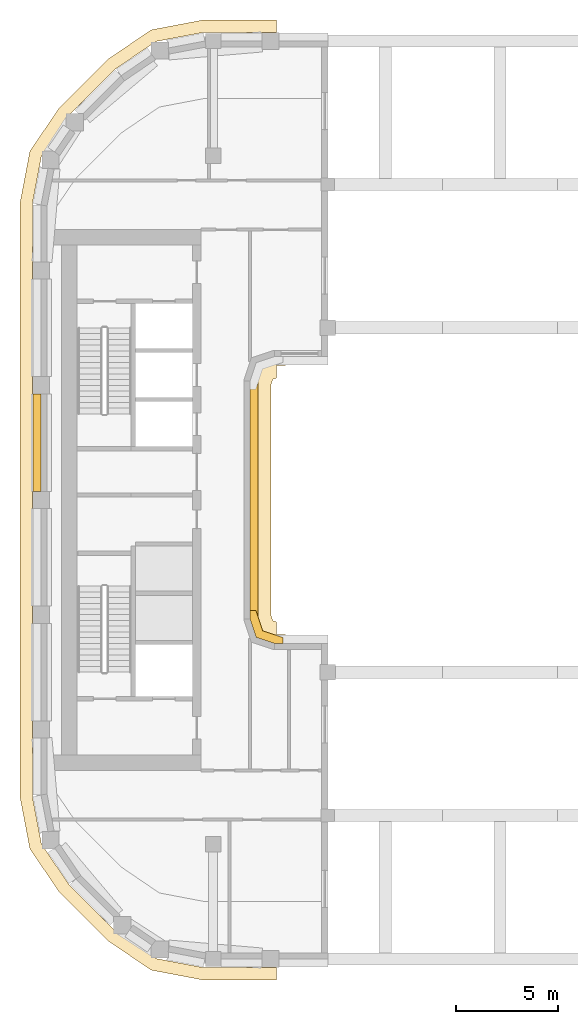
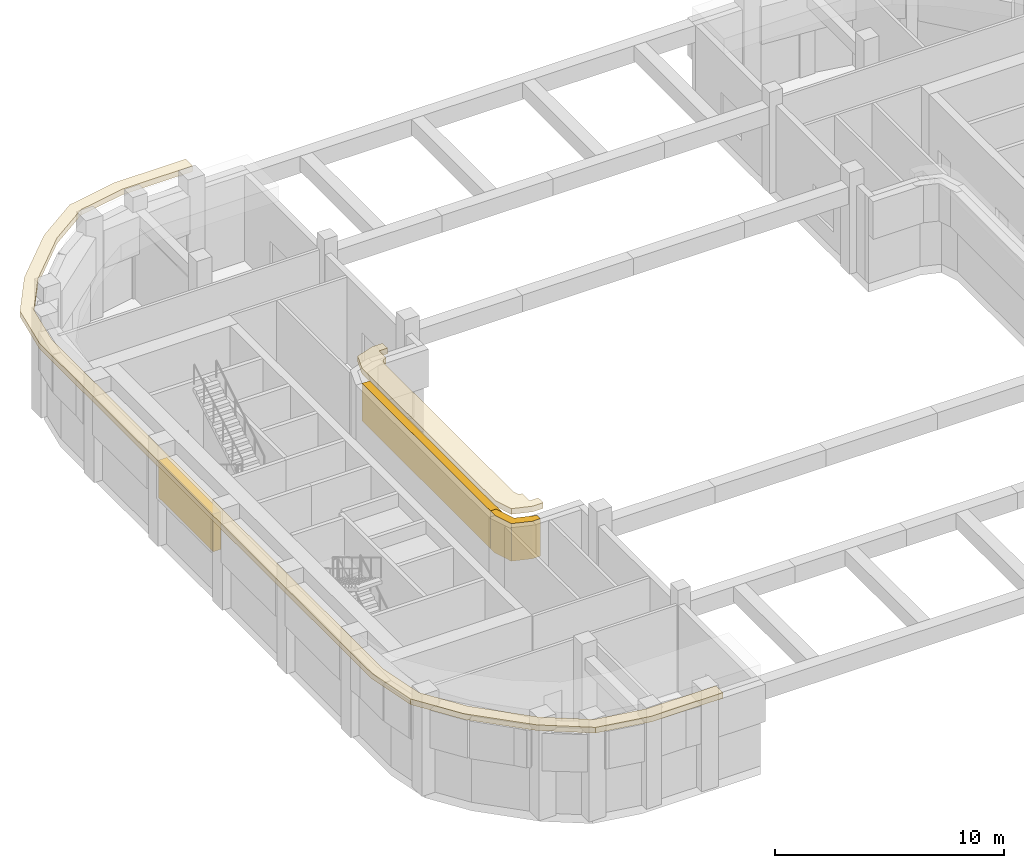
# One storey, part 8 of 13: 5 coverings.
"""IFC4 building model written with IfcOpenShell, lengths in metres."""

from ifc_helpers import new_model, si_unit, direction, frame, origin, origin_2d, place, context, subcontext, project, spatial, polyline, rectangle, outline, extrude, material, layer, layer_set, type_object, element, save


model = new_model("IFC4")

# Units and contexts
model_context = context("Model", 3, precision=1e-05, world=origin(), true_north=direction((0.0, 1.0)))
body_context = subcontext(model_context, "Body", "Model", "MODEL_VIEW")
ifc_project = project(units=[si_unit("LENGTHUNIT", "METRE"), si_unit("AREAUNIT", "SQUARE_METRE"), si_unit("VOLUMEUNIT", "CUBIC_METRE"), si_unit("PLANEANGLEUNIT", "RADIAN"), si_unit("MASSUNIT", "GRAM", prefix="KILO")], contexts=[model_context])

# Site, building, storey
site_placement = place(None, origin())
site = spatial("IfcSite", under=ifc_project, at=site_placement, CompositionType="ELEMENT")
building_placement = place(site_placement, origin())
building = spatial("IfcBuilding", under=site, at=building_placement, Name="Kiln Ring Residences", CompositionType="ELEMENT")
storey_placement = place(building_placement, frame((0.0, 0.0, 236.300048828125)))
storey = spatial("IfcBuildingStorey", under=building, at=storey_placement, Name="L61", CompositionType="ELEMENT", Elevation=236.300048828125)

# Coverings
ifc_material_1 = material(Name="Black powder-coated steel", Category="steel")
ifc_layer = layer(ifc_material_1, 0.300048828125)
ifc_layer_set = layer_set([ifc_layer], Name="SUNSHADE FIN 600")
covering_type_1 = type_object("IfcCoveringType", Name="SUNSHADE FIN 600", PredefinedType="CLADDING", material=ifc_layer_set)
placement = place(storey_placement, frame((0.0, 0.0, 5.099853515625)))
element("IfcCovering", 1, at=placement, inside=storey, type_object=covering_type_1, Name="SUNSHADE FIN L61", PredefinedType="CLADDING", context=body_context, shape_type="SweptSolid", body=[
    extrude(outline(polyline([(-25.742919921875, 17.02490234375), (-26.22509765625, 14.496826171875), (-26.22509765625, -14.496826171875), (-25.742919921875, -17.02490234375), (-24.296142578125, -19.1533203125), (-21.953369140625, -21.49609375), (-19.82470703125, -22.94287109375), (-17.296875, -23.425048828125), (-13.699951171875, -23.425048828125), (-13.699951171875, -22.824951171875), (-17.240234375, -22.824951171875), (-19.59033203125, -22.376708984375), (-21.569091796875, -21.031982421875), (-23.831787109375, -18.769287109375), (-25.1767578125, -16.790283203125), (-25.625, -14.440185546875), (-25.625, 14.440185546875), (-25.1767578125, 16.790283203125), (-23.831787109375, 18.769287109375), (-21.569091796875, 21.031982421875), (-19.59033203125, 22.376708984375), (-17.240234375, 22.824951171875), (-13.699951171875, 22.824951171875), (-13.699951171875, 23.425048828125), (-17.296875, 23.425048828125), (-19.82470703125, 22.94287109375), (-21.953369140625, 21.49609375), (-24.296142578125, 19.1533203125), (-25.742919921875, 17.02490234375)])), origin(), (0.0, 0.0, 1.0), 0.300048828125),
])
element("IfcCovering", 2, at=placement, inside=storey, type_object=covering_type_1, Name="SUNSHADE FIN L61", PredefinedType="CLADDING", context=body_context, shape_type="SweptSolid", body=[
    extrude(outline(polyline([(-13.699951171875, 5.952880859375), (-13.699951171875, 6.574951171875), (-13.264892578125, 6.574951171875), (-13.264892578125, 7.0), (-13.800048828125, 7.0), (-14.699951171875, 6.699951171875), (-15.0, 5.800048828125), (-15.0, -5.800048828125), (-14.699951171875, -6.699951171875), (-13.800048828125, -7.0), (-13.264892578125, -7.0), (-13.264892578125, -6.574951171875), (-13.699951171875, -6.574951171875), (-13.699951171875, -5.952880859375), (-13.8896484375, -5.8896484375), (-13.97509765625, -5.6337890625), (-13.97509765625, 5.6337890625), (-13.8896484375, 5.8896484375), (-13.699951171875, 5.952880859375)])), origin(), (0.0, 0.0, 1.0), 0.300048828125),
])
ifc_material_2 = material(Name="Concrete C35/45, exposed aggregate finish", Category="concrete")
covering_type_2 = type_object("IfcCoveringType", Name="TIE BAND 2000 x 400", PredefinedType="CLADDING", material=ifc_material_2)
covering_3_placement = place(storey_placement, frame((-14.800048828125, 0.0, 2.599853515625), z_axis=(0.0, 0.0, 1.0), x_axis=(0.0, 1.0, 0.0)))
element("IfcCovering", 3, at=covering_3_placement, inside=storey, type_object=covering_type_2, Name="TIE BAND L61", PredefinedType="CLADDING", context=body_context, shape_type="SweptSolid", body=[
    extrude(rectangle(XDim=11.60009765625, YDim=0.39990234375, at=origin_2d()), origin(), (0.0, 0.0, 1.0), 2.0),
])
covering_4_placement = place(storey_placement, frame((-25.39990234375, 2.800048828125, 2.599853515625), z_axis=(0.0, 0.0, 1.0), x_axis=(0.0, -1.0, 0.0)))
element("IfcCovering", 4, at=covering_4_placement, inside=storey, type_object=covering_type_2, Name="TIE BAND L61", PredefinedType="CLADDING", context=body_context, shape_type="SweptSolid", body=[
    extrude(rectangle(XDim=4.75, YDim=0.39990234375, at=origin_2d()), origin(), (0.0, 0.0, 1.0), 2.0),
])
covering_5_placement = place(storey_placement, frame((0.0, 0.0, 2.599853515625)))
element("IfcCovering", 5, at=covering_5_placement, inside=storey, type_object=covering_type_2, Name="TIE BAND L61", PredefinedType="CLADDING", context=body_context, shape_type="SweptSolid", body=[
    extrude(outline(polyline([(-13.800048828125, -7.0), (-13.39990234375, -7.0), (-13.39990234375, -6.711669921875), (-14.3837890625, -6.3837890625), (-14.711669921875, -5.39990234375), (-15.0, -5.39990234375), (-15.0, -5.800048828125), (-14.699951171875, -6.699951171875), (-13.800048828125, -7.0)])), origin(), (0.0, 0.0, 1.0), 2.0),
])

save(model, "model.ifc")
